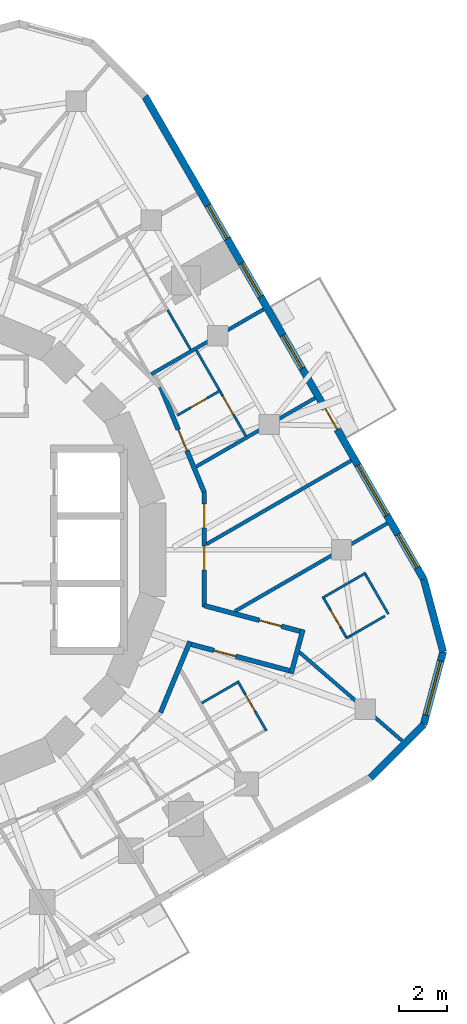
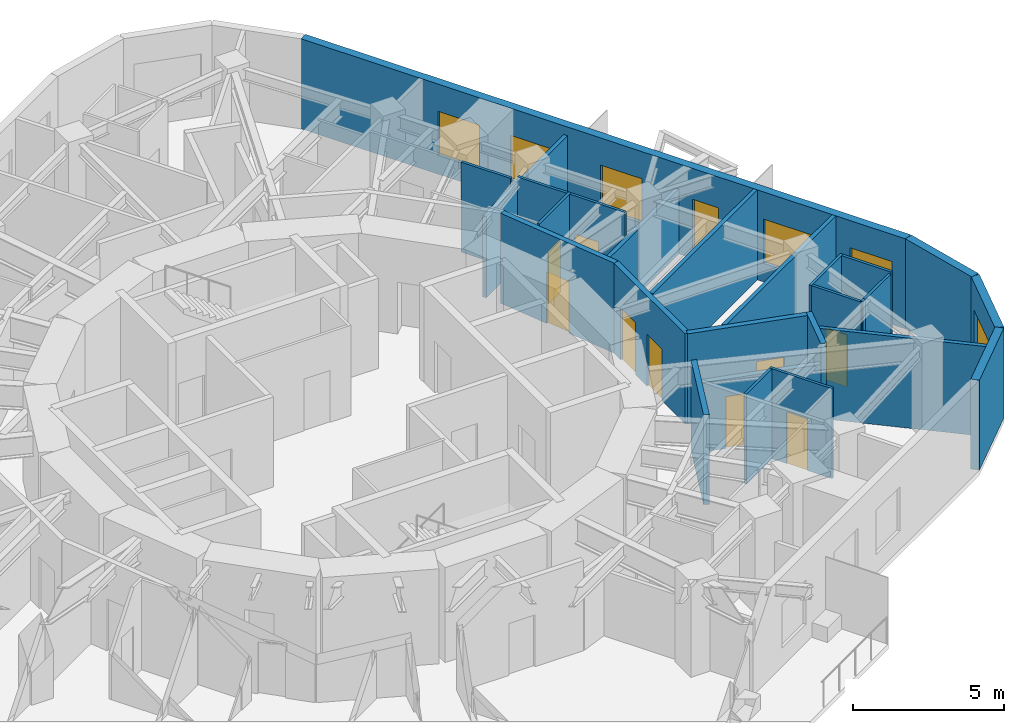
# One storey, part 8 of 12: 26 walls, 10 doors, 6 windows, 16 openings.
"""IFC4 building model written with IfcOpenShell, lengths in metres."""

from ifc_helpers import new_model, si_unit, direction, frame, frame_2d, origin, place, context, subcontext, project, spatial, rectangle, extrude, material, layer, layer_set, type_object, element, fill, save


model = new_model("IFC4")

# Units and contexts
model_context = context("Model", 3, precision=1e-05, world=origin(), true_north=direction((0.0, 1.0)))
body_context = subcontext(model_context, "Body", "Model", "MODEL_VIEW")
ifc_project = project(units=[si_unit("LENGTHUNIT", "METRE"), si_unit("AREAUNIT", "SQUARE_METRE"), si_unit("VOLUMEUNIT", "CUBIC_METRE"), si_unit("PLANEANGLEUNIT", "RADIAN"), si_unit("MASSUNIT", "GRAM", prefix="KILO")], contexts=[model_context])

# Site, building, storey
site_placement = place(None, origin())
site = spatial("IfcSite", under=ifc_project, at=site_placement, CompositionType="ELEMENT")
building_placement = place(site_placement, origin())
building = spatial("IfcBuilding", under=site, at=building_placement, Name="Nakasero Lantern House", CompositionType="ELEMENT")
storey_placement = place(building_placement, frame((0.0, 0.0, 226.949951171875)))
storey = spatial("IfcBuildingStorey", under=building, at=storey_placement, Name="L55", CompositionType="ELEMENT", Elevation=226.949951171875)

# Wall, openings, doors
ifc_material_1 = material(Name="Blockwork", Category="masonry")
ifc_layer_1 = layer(ifc_material_1, 0.199951171875)
ifc_layer_set_1 = layer_set([ifc_layer_1], Name="Corridor wall 200")
wall_type_1 = type_object("IfcWallType", Name="Corridor wall 200", PredefinedType="PARTITIONING", material=ifc_layer_set_1)
wall_1_placement = place(storey_placement, frame((11.957763671875, 2.378662109375, 0.0), z_axis=(0.0, 0.0, 1.0), x_axis=(0.0, -1.0, 0.0)))
wall_1 = element("IfcWall", 1, at=wall_1_placement, inside=storey, type_object=wall_type_1, Name="Corridor wall L55 RC00a", PredefinedType="PARTITIONING", context=body_context, shape_type="SweptSolid", body=[
    extrude(rectangle(XDim=4.75732421875, YDim=0.199951171875, at=frame_2d((2.378662109375, 0.0))), origin(), (0.0, 0.0, 1.0), 3.650146484375),
])
opening_1_placement = place(wall_1_placement, frame((2.219970703125, 0.0, 0.0)))
opening_1 = element("IfcOpeningElement", 2, at=opening_1_placement, cuts=wall_1, Name="Opening D03", PredefinedType="OPENING", context=body_context, shape_type="SweptSolid", body=[
    extrude(rectangle(XDim=1.0, YDim=2.10009765625, at=frame_2d((0.5, 1.050048828125))), frame((0.0, 0.119873046875, 0.0), z_axis=(0.0, -1.0, 0.0), x_axis=(1.0, 0.0, 0.0)), (0.0, 0.0, 1.0), 0.239990234375),
])
opening_2_placement = place(wall_1_placement, frame((0.469970703125, 0.0, 0.0)))
opening_2 = element("IfcOpeningElement", 3, at=opening_2_placement, cuts=wall_1, Name="Opening D03", PredefinedType="OPENING", context=body_context, shape_type="SweptSolid", body=[
    extrude(rectangle(XDim=1.0, YDim=2.10009765625, at=frame_2d((0.5, 1.050048828125))), frame((0.0, 0.119873046875, 0.0), z_axis=(0.0, -1.0, 0.0), x_axis=(1.0, 0.0, 0.0)), (0.0, 0.0, 1.0), 0.239990234375),
])
ifc_material_2 = material(Name="Timber C24", Category="wood")
door_type_1 = type_object("IfcDoorType", Name="Lounge door FD30S 1000", OperationType="SINGLE_SWING_LEFT", PredefinedType="DOOR", material=ifc_material_2)
door_1_placement = place(opening_1_placement, origin())
door_1 = element("IfcDoor", 4, at=door_1_placement, inside=storey, type_object=door_type_1, Name="Door L55 DK0", OperationType="SINGLE_SWING_RIGHT", OverallHeight=2.10009765625, OverallWidth=1.0, PredefinedType="DOOR", context=body_context, shape_type="SweptSolid", body=[
    extrude(rectangle(XDim=1.0, YDim=2.10009765625, at=frame_2d((0.5, 1.050048828125))), frame((0.0, 0.02490234375, 0.0), z_axis=(0.0, -1.0, 0.0), x_axis=(1.0, 0.0, 0.0)), (0.0, 0.0, 1.0), 0.050048828125),
])
fill(opening_1, door_1)
door_2_placement = place(opening_2_placement, origin())
door_2 = element("IfcDoor", 5, at=door_2_placement, inside=storey, type_object=door_type_1, Name="Door L55 DK0-1", OperationType="SINGLE_SWING_LEFT", OverallHeight=2.10009765625, OverallWidth=1.0, PredefinedType="DOOR", context=body_context, shape_type="SweptSolid", body=[
    extrude(rectangle(XDim=1.0, YDim=2.10009765625, at=frame_2d((0.5, 1.050048828125))), frame((0.0, 0.02490234375, 0.0), z_axis=(0.0, -1.0, 0.0), x_axis=(1.0, 0.0, 0.0)), (0.0, 0.0, 1.0), 0.050048828125),
])
fill(opening_2, door_2)

# Wall
wall_2_placement = place(storey_placement, frame((11.360595703125, -3.820556640625, 0.0), z_axis=(0.0, 0.0, 1.0), x_axis=(-0.382662097458, -0.923888369431, 0.0)))
element("IfcWall", 6, at=wall_2_placement, inside=storey, type_object=wall_type_1, Name="Corridor wall L55 RC01b", PredefinedType="PARTITIONING", context=body_context, shape_type="SweptSolid", body=[
    extrude(rectangle(XDim=3.1962890625, YDim=0.199951171875, at=frame_2d((1.59814453125, 0.0))), origin(), (0.0, 0.0, 1.0), 3.650146484375),
])

# Wall, opening, door
wall_3_placement = place(storey_placement, frame((10.137451171875, 6.773681640625, 0.0), z_axis=(0.0, 0.0, 1.0), x_axis=(0.382653970627, -0.923891735412, 0.0)))
wall_3 = element("IfcWall", 7, at=wall_3_placement, inside=storey, type_object=wall_type_1, Name="Corridor wall L55 RC15a", PredefinedType="PARTITIONING", context=body_context, shape_type="SweptSolid", body=[
    extrude(rectangle(XDim=4.757080078125, YDim=0.199951171875, at=frame_2d((2.37841796875, 0.0))), origin(), (0.0, 0.0, 1.0), 3.650146484375),
])
opening_3_placement = place(wall_3_placement, frame((1.919921875, 0.0, 0.0)))
opening_3 = element("IfcOpeningElement", 8, at=opening_3_placement, cuts=wall_3, Name="Opening D01", PredefinedType="OPENING", context=body_context, shape_type="SweptSolid", body=[
    extrude(rectangle(XDim=0.949951171875, YDim=2.10009765625, at=frame_2d((0.47509765625, 1.050048828125))), frame((0.0, 0.119873046875, 0.0), z_axis=(0.0, -1.0, 0.0), x_axis=(1.0, 0.0, 0.0)), (0.0, 0.0, 1.0), 0.239990234375),
])
ifc_material_3 = material(Name="Timber C24", Category="wood")
door_type_2 = type_object("IfcDoorType", Name="Bedroom door FD30S 950", OperationType="SINGLE_SWING_LEFT", PredefinedType="DOOR", material=ifc_material_3)
door_3_placement = place(opening_3_placement, origin())
door_3 = element("IfcDoor", 9, at=door_3_placement, inside=storey, type_object=door_type_2, Name="Door L55 D0-03", OperationType="SINGLE_SWING_RIGHT", OverallHeight=2.10009765625, OverallWidth=0.949951171875, PredefinedType="DOOR", context=body_context, shape_type="SweptSolid", body=[
    extrude(rectangle(XDim=0.949951171875, YDim=2.10009765625, at=frame_2d((0.47509765625, 1.050048828125))), frame((0.0, 0.02490234375, 0.0), z_axis=(0.0, -1.0, 0.0), x_axis=(1.0, 0.0, 0.0)), (0.0, 0.0, 1.0), 0.050048828125),
])
fill(opening_3, door_3)

wall_4_placement = place(storey_placement, frame((11.322021484375, -3.913818359375, 0.0), z_axis=(0.0, 0.0, 1.0), x_axis=(0.965936973474, -0.258777439659, 0.0)))
wall_4 = element("IfcWall", 10, at=wall_4_placement, inside=storey, type_object=wall_type_1, Name="Corridor wall L55 SP3a", PredefinedType="PARTITIONING", context=body_context, shape_type="SweptSolid", body=[
    extrude(rectangle(XDim=4.524658203125, YDim=0.199951171875, at=frame_2d((2.26220703125, 0.0))), origin(), (0.0, 0.0, 1.0), 2.809326171875),
])
opening_4_placement = place(wall_4_placement, frame((1.070068359375, 0.0, 0.0)))
opening_4 = element("IfcOpeningElement", 11, at=opening_4_placement, cuts=wall_4, Name="Opening D01", PredefinedType="OPENING", context=body_context, shape_type="SweptSolid", body=[
    extrude(rectangle(XDim=0.949951171875, YDim=2.10009765625, at=frame_2d((0.47509765625, 1.050048828125))), frame((0.0, 0.119873046875, 0.0), z_axis=(0.0, -1.0, 0.0), x_axis=(1.0, 0.0, 0.0)), (0.0, 0.0, 1.0), 0.239990234375),
])
door_4_placement = place(opening_4_placement, origin())
door_4 = element("IfcDoor", 12, at=door_4_placement, inside=storey, type_object=door_type_2, Name="Door L55 D3-06", OperationType="SINGLE_SWING_LEFT", OverallHeight=2.10009765625, OverallWidth=0.949951171875, PredefinedType="DOOR", context=body_context, shape_type="SweptSolid", body=[
    extrude(rectangle(XDim=0.949951171875, YDim=2.10009765625, at=frame_2d((0.47509765625, 1.050048828125))), frame((0.0, 0.02490234375, 0.0), z_axis=(0.0, -1.0, 0.0), x_axis=(1.0, 0.0, 0.0)), (0.0, 0.0, 1.0), 0.050048828125),
])
fill(opening_4, door_4)

wall_5_placement = place(storey_placement, frame((11.957763671875, -2.32421875, 0.0), z_axis=(0.0, 0.0, 1.0), x_axis=(0.965938975236, -0.258769967576, 0.0)))
wall_5 = element("IfcWall", 13, at=wall_5_placement, inside=storey, type_object=wall_type_1, Name="Corridor wall L55 SP3b", PredefinedType="PARTITIONING", context=body_context, shape_type="SweptSolid", body=[
    extrude(rectangle(XDim=4.322021484375, YDim=0.199951171875, at=frame_2d((2.1611328125, 0.0))), origin(), (0.0, 0.0, 1.0), 3.650146484375),
])
opening_5_placement = place(wall_5_placement, frame((2.3701171875, 0.0, 0.0)))
opening_5 = element("IfcOpeningElement", 14, at=opening_5_placement, cuts=wall_5, Name="Opening D01", PredefinedType="OPENING", context=body_context, shape_type="SweptSolid", body=[
    extrude(rectangle(XDim=0.949951171875, YDim=2.10009765625, at=frame_2d((0.47509765625, 1.050048828125))), frame((0.0, 0.119873046875, 0.0), z_axis=(0.0, -1.0, 0.0), x_axis=(1.0, 0.0, 0.0)), (0.0, 0.0, 1.0), 0.239990234375),
])
door_5_placement = place(opening_5_placement, origin())
door_5 = element("IfcDoor", 15, at=door_5_placement, inside=storey, type_object=door_type_2, Name="Door L55 D0-00", OperationType="SINGLE_SWING_RIGHT", OverallHeight=2.10009765625, OverallWidth=0.949951171875, PredefinedType="DOOR", context=body_context, shape_type="SweptSolid", body=[
    extrude(rectangle(XDim=0.949951171875, YDim=2.10009765625, at=frame_2d((0.47509765625, 1.050048828125))), frame((0.0, 0.02490234375, 0.0), z_axis=(0.0, -1.0, 0.0), x_axis=(1.0, 0.0, 0.0)), (0.0, 0.0, 1.0), 0.050048828125),
])
fill(opening_5, door_5)

# Walls
wall_6_placement = place(storey_placement, frame((15.570068359375, -5.155517578125, 0.0), z_axis=(0.0, 0.0, 1.0), x_axis=(0.258798174346, 0.96593141835, 0.0)))
element("IfcWall", 16, at=wall_6_placement, inside=storey, type_object=wall_type_1, Name="Corridor wall L55 SP3e", PredefinedType="PARTITIONING", context=body_context, shape_type="SweptSolid", body=[
    extrude(rectangle(XDim=1.89990234375, YDim=0.199951171875, at=frame_2d((0.949951171875, 0.0))), origin(), (0.0, 0.0, 1.0), 3.650146484375),
])
ifc_material_4 = material(Name="Blockwork", Category="masonry")
ifc_layer_2 = layer(ifc_material_4, 0.10009765625)
ifc_layer_set_2 = layer_set([ifc_layer_2], Name="En-suite wall 100")
wall_type_2 = type_object("IfcWallType", Name="En-suite wall 100", PredefinedType="PARTITIONING", material=ifc_layer_set_2)
wall_7_placement = place(storey_placement, frame((16.865478515625, -2.01171875, 0.0), z_axis=(0.0, 0.0, 1.0), x_axis=(0.866059744384, 0.49994051562, 0.0)))
element("IfcWall", 17, at=wall_7_placement, inside=storey, type_object=wall_type_2, Name="En-suite wall L55 ES0-00", PredefinedType="PARTITIONING", context=body_context, shape_type="SweptSolid", body=[
    extrude(rectangle(XDim=2.099853515625, YDim=0.10009765625, at=frame_2d((1.0498046875, 0.0))), origin(), (0.0, 0.0, 1.0), 3.650146484375),
])
wall_8_placement = place(storey_placement, frame((19.61572265625, -2.675537109375, 0.0), z_axis=(0.0, 0.0, 1.0), x_axis=(-0.499967155389, 0.866044365799, 0.0)))
element("IfcWall", 18, at=wall_8_placement, inside=storey, type_object=wall_type_2, Name="En-suite wall L55 EE0-00", PredefinedType="PARTITIONING", context=body_context, shape_type="SweptSolid", body=[
    extrude(rectangle(XDim=1.900146484375, YDim=0.10009765625, at=frame_2d((0.9501953125, 0.0))), origin(), (0.0, 0.0, 1.0), 3.650146484375),
])

# Wall, opening, door
wall_9_placement = place(storey_placement, frame((17.8837890625, -3.675537109375, 0.0), z_axis=(0.0, 0.0, 1.0), x_axis=(-0.499967155389, 0.866044365799, 0.0)))
wall_9 = element("IfcWall", 19, at=wall_9_placement, inside=storey, type_object=wall_type_2, Name="En-suite wall L55 EI0-00", PredefinedType="PARTITIONING", context=body_context, shape_type="SweptSolid", body=[
    extrude(rectangle(XDim=1.900146484375, YDim=0.10009765625, at=frame_2d((0.9501953125, 0.0))), origin(), (0.0, 0.0, 1.0), 3.650146484375),
])
opening_6_placement = place(wall_9_placement, frame((0.550048828125, 0.0, 0.0)))
opening_6 = element("IfcOpeningElement", 20, at=opening_6_placement, cuts=wall_9, Name="Opening D02", PredefinedType="OPENING", context=body_context, shape_type="SweptSolid", body=[
    extrude(rectangle(XDim=0.800048828125, YDim=2.10009765625, at=frame_2d((0.39990234375, 1.050048828125))), frame((0.0, 0.070068359375, 0.0), z_axis=(0.0, -1.0, 0.0), x_axis=(1.0, 0.0, 0.0)), (0.0, 0.0, 1.0), 0.14013671875),
])
ifc_material_5 = material(Name="Timber C24", Category="wood")
door_type_3 = type_object("IfcDoorType", Name="En-suite door 800", OperationType="SINGLE_SWING_RIGHT", PredefinedType="DOOR", material=ifc_material_5)
door_6_placement = place(opening_6_placement, origin())
door_6 = element("IfcDoor", 21, at=door_6_placement, inside=storey, type_object=door_type_3, Name="Door L55 DE0-00", OperationType="SINGLE_SWING_RIGHT", OverallHeight=2.10009765625, OverallWidth=0.800048828125, PredefinedType="DOOR", context=body_context, shape_type="SweptSolid", body=[
    extrude(rectangle(XDim=0.800048828125, YDim=2.10009765625, at=frame_2d((0.39990234375, 1.050048828125))), frame((0.0, 0.02490234375, 0.0), z_axis=(0.0, -1.0, 0.0), x_axis=(1.0, 0.0, 0.0)), (0.0, 0.0, 1.0), 0.050048828125),
])
fill(opening_6, door_6)

wall_10_placement = place(storey_placement, frame((10.82470703125, 5.586669921875, 0.0), z_axis=(0.0, 0.0, 1.0), x_axis=(0.866009402589, 0.500027713859, 0.0)))
wall_10 = element("IfcWall", 22, at=wall_10_placement, inside=storey, type_object=wall_type_2, Name="En-suite wall L55 ES0-03", PredefinedType="PARTITIONING", context=body_context, shape_type="SweptSolid", body=[
    extrude(rectangle(XDim=2.10009765625, YDim=0.10009765625, at=frame_2d((1.050048828125, 0.0))), origin(), (0.0, 0.0, 1.0), 3.650146484375),
])
opening_7_placement = place(wall_10_placement, frame((0.64990234375, 0.0, 0.0)))
opening_7 = element("IfcOpeningElement", 23, at=opening_7_placement, cuts=wall_10, Name="Opening D02", PredefinedType="OPENING", context=body_context, shape_type="SweptSolid", body=[
    extrude(rectangle(XDim=0.800048828125, YDim=2.10009765625, at=frame_2d((0.39990234375, 1.050048828125))), frame((0.0, 0.070068359375, 0.0), z_axis=(0.0, -1.0, 0.0), x_axis=(1.0, 0.0, 0.0)), (0.0, 0.0, 1.0), 0.14013671875),
])
door_7_placement = place(opening_7_placement, origin())
door_7 = element("IfcDoor", 24, at=door_7_placement, inside=storey, type_object=door_type_3, Name="Door L55 DE0-03", OperationType="SINGLE_SWING_RIGHT", OverallHeight=2.10009765625, OverallWidth=0.800048828125, PredefinedType="DOOR", context=body_context, shape_type="SweptSolid", body=[
    extrude(rectangle(XDim=0.800048828125, YDim=2.10009765625, at=frame_2d((0.39990234375, 1.050048828125))), frame((0.0, 0.02490234375, 0.0), z_axis=(0.0, -1.0, 0.0), x_axis=(1.0, 0.0, 0.0)), (0.0, 0.0, 1.0), 0.050048828125),
])
fill(opening_7, door_7)

# Walls
wall_11_placement = place(storey_placement, frame((12.574951171875, 6.655029296875, 0.0), z_axis=(0.0, 0.0, 1.0), x_axis=(-0.499967155389, 0.866044365799, 0.0)))
element("IfcWall", 25, at=wall_11_placement, inside=storey, type_object=wall_type_2, Name="En-suite wall L55 EE0-03", PredefinedType="PARTITIONING", context=body_context, shape_type="SweptSolid", body=[
    extrude(rectangle(XDim=1.900146484375, YDim=0.10009765625, at=frame_2d((0.9501953125, 0.0))), origin(), (0.0, 0.0, 1.0), 3.650146484375),
])
wall_12_placement = place(storey_placement, frame((11.382568359375, 8.333740234375, 0.0), z_axis=(0.0, 0.0, 1.0), x_axis=(-0.500022797313, 0.86601224135, 0.0)))
element("IfcWall", 26, at=wall_12_placement, inside=storey, type_object=wall_type_2, Name="En-suite wall L55 EE0-04", PredefinedType="PARTITIONING", context=body_context, shape_type="SweptSolid", body=[
    extrude(rectangle(XDim=1.89990234375, YDim=0.10009765625, at=frame_2d((0.949951171875, 0.0))), origin(), (0.0, 0.0, 1.0), 3.650146484375),
])

# Wall, opening, door
wall_13_placement = place(storey_placement, frame((13.342041015625, -5.46044921875, 0.0), z_axis=(0.0, 0.0, 1.0), x_axis=(0.500033551112, -0.866006032174, 0.0)))
wall_13 = element("IfcWall", 27, at=wall_13_placement, inside=storey, type_object=wall_type_2, Name="En-suite wall L55 ES3-06", PredefinedType="PARTITIONING", context=body_context, shape_type="SweptSolid", body=[
    extrude(rectangle(XDim=2.400146484375, YDim=0.10009765625, at=frame_2d((1.2001953125, 0.0))), origin(), (0.0, 0.0, 1.0), 3.650146484375),
])
opening_8_placement = place(wall_13_placement, frame((0.64990234375, 0.0, 0.0)))
opening_8 = element("IfcOpeningElement", 28, at=opening_8_placement, cuts=wall_13, Name="Opening D02", PredefinedType="OPENING", context=body_context, shape_type="SweptSolid", body=[
    extrude(rectangle(XDim=0.800048828125, YDim=2.10009765625, at=frame_2d((0.39990234375, 1.050048828125))), frame((0.0, 0.070068359375, 0.0), z_axis=(0.0, -1.0, 0.0), x_axis=(1.0, 0.0, 0.0)), (0.0, 0.0, 1.0), 0.14013671875),
])
door_8_placement = place(opening_8_placement, origin())
door_8 = element("IfcDoor", 29, at=door_8_placement, inside=storey, type_object=door_type_3, Name="Door L55 DE3-06", OperationType="SINGLE_SWING_LEFT", OverallHeight=2.10009765625, OverallWidth=0.800048828125, PredefinedType="DOOR", context=body_context, shape_type="SweptSolid", body=[
    extrude(rectangle(XDim=0.800048828125, YDim=2.10009765625, at=frame_2d((0.39990234375, 1.050048828125))), frame((0.0, 0.02490234375, 0.0), z_axis=(0.0, -1.0, 0.0), x_axis=(1.0, 0.0, 0.0)), (0.0, 0.0, 1.0), 0.050048828125),
])
fill(opening_8, door_8)

# Wall
wall_14_placement = place(storey_placement, frame((11.8515625, -6.37890625, 0.0), z_axis=(0.0, 0.0, 1.0), x_axis=(0.865989465428, 0.500062241894, 0.0)))
element("IfcWall", 30, at=wall_14_placement, inside=storey, type_object=wall_type_2, Name="En-suite wall L55 EI3-06", PredefinedType="PARTITIONING", context=body_context, shape_type="SweptSolid", body=[
    extrude(rectangle(XDim=1.699951171875, YDim=0.10009765625, at=frame_2d((0.85009765625, 0.0))), origin(), (0.0, 0.0, 1.0), 3.650146484375),
])

# Wall, opening, door
wall_15_placement = place(storey_placement, frame((13.68310546875, 4.735595703125, 0.0), z_axis=(0.0, 0.0, 1.0), x_axis=(-0.499985423392, 0.866033819429, 0.0)))
wall_15 = element("IfcWall", 31, at=wall_15_placement, inside=storey, type_object=wall_type_2, Name="En-suite wall L55 EL0-03", PredefinedType="PARTITIONING", context=body_context, shape_type="SweptSolid", body=[
    extrude(rectangle(XDim=2.1162109375, YDim=0.10009765625, at=frame_2d((1.05810546875, 0.0))), origin(), (0.0, 0.0, 1.0), 3.650146484375),
])
opening_9_placement = place(wall_15_placement, frame((1.016357421875, 0.0, 0.0)))
opening_9 = element("IfcOpeningElement", 32, at=opening_9_placement, cuts=wall_15, Name="Opening D17", PredefinedType="OPENING", context=body_context, shape_type="SweptSolid", body=[
    extrude(rectangle(XDim=0.89990234375, YDim=2.10009765625, at=frame_2d((0.449951171875, 1.050048828125))), frame((0.0, 0.070068359375, 0.0), z_axis=(0.0, -1.0, 0.0), x_axis=(1.0, 0.0, 0.0)), (0.0, 0.0, 1.0), 0.14013671875),
])
ifc_material_6 = material(Name="Timber C24", Category="wood")
door_type_4 = type_object("IfcDoorType", Name="Bedroom door FD30S 900", OperationType="SINGLE_SWING_LEFT", PredefinedType="DOOR", material=ifc_material_6)
door_9_placement = place(opening_9_placement, origin())
door_9 = element("IfcDoor", 33, at=door_9_placement, inside=storey, type_object=door_type_4, Name="Door L55 DL0-03", OperationType="SINGLE_SWING_RIGHT", OverallHeight=2.10009765625, OverallWidth=0.89990234375, PredefinedType="DOOR", context=body_context, shape_type="SweptSolid", body=[
    extrude(rectangle(XDim=0.89990234375, YDim=2.10009765625, at=frame_2d((0.449951171875, 1.050048828125))), frame((0.0, 0.02490234375, 0.0), z_axis=(0.0, -1.0, 0.0), x_axis=(1.0, 0.0, 0.0)), (0.0, 0.0, 1.0), 0.050048828125),
])
fill(opening_9, door_9)

# Walls
wall_16_placement = place(storey_placement, frame((18.022216796875, -3.595458984375, 0.0), z_axis=(0.0, 0.0, 1.0), x_axis=(0.866088799389, 0.499890179513, 0.0)))
element("IfcWall", 34, at=wall_16_placement, inside=storey, type_object=wall_type_2, Name="En-suite wall L55 EX000", PredefinedType="PARTITIONING", context=body_context, shape_type="SweptSolid", body=[
    extrude(rectangle(XDim=1.68017578125, YDim=0.10009765625, at=frame_2d((0.840087890625, 0.0))), origin(), (0.0, 0.0, 1.0), 3.650146484375),
])
wall_17_placement = place(storey_placement, frame((17.8837890625, -3.675537109375, 0.0), z_axis=(0.0, 0.0, 1.0), x_axis=(0.865600433939, 0.500735348028, 0.0)))
element("IfcWall", 35, at=wall_17_placement, inside=storey, type_object=wall_type_2, Name="En-suite wall L55 EI0-00R0", PredefinedType="PARTITIONING", context=body_context, shape_type="SweptSolid", body=[
    extrude(rectangle(XDim=0.159912109375, YDim=0.10009765625, at=frame_2d((0.080078125, 0.0))), origin(), (0.0, 0.0, 1.0), 3.650146484375),
])

# Wall, openings, door, windows
ifc_material_7 = material(Name="Aluminium rainscreen on blockwork", Category="masonry")
ifc_layer_3 = layer(ifc_material_7, 0.300048828125)
ifc_layer_set_3 = layer_set([ifc_layer_3], Name="Facade wall 300")
wall_type_3 = type_object("IfcWallType", Name="Facade wall 300", PredefinedType="SOLIDWALL", material=ifc_layer_set_3)
wall_18_placement = place(storey_placement, frame((21.08544921875, -1.220947265625, 0.0), z_axis=(0.0, 0.0, 1.0), x_axis=(-0.500003016864, 0.86602366199, 0.0)))
wall_18 = element("IfcWall", 36, at=wall_18_placement, inside=storey, type_object=wall_type_3, Name="Facade wall L55 FW0S", PredefinedType="SOLIDWALL", context=body_context, shape_type="SweptSolid", body=[
    extrude(rectangle(XDim=23.199951171875, YDim=0.300048828125, at=frame_2d((11.60009765625, 0.0))), origin(), (0.0, 0.0, 1.0), 3.650146484375),
])
opening_10_placement = place(wall_18_placement, frame((0.5458984375, 0.0, 0.75)))
opening_10 = element("IfcOpeningElement", 37, at=opening_10_placement, cuts=wall_18, Name="Opening W01", PredefinedType="OPENING", context=body_context, shape_type="SweptSolid", body=[
    extrude(rectangle(XDim=1.60009765625, YDim=1.800048828125, at=frame_2d((0.800048828125, 0.89990234375))), frame((0.0, 0.169921875, 0.0), z_axis=(0.0, -1.0, 0.0), x_axis=(1.0, 0.0, 0.0)), (0.0, 0.0, 1.0), 0.340087890625),
])
opening_11_placement = place(wall_18_placement, frame((10.11767578125, 0.0, 0.75)))
opening_11 = element("IfcOpeningElement", 38, at=opening_11_placement, cuts=wall_18, Name="Opening W01", PredefinedType="OPENING", context=body_context, shape_type="SweptSolid", body=[
    extrude(rectangle(XDim=1.60009765625, YDim=1.800048828125, at=frame_2d((0.800048828125, 0.89990234375))), frame((0.0, 0.169921875, 0.0), z_axis=(0.0, -1.0, 0.0), x_axis=(1.0, 0.0, 0.0)), (0.0, 0.0, 1.0), 0.340087890625),
])
opening_12_placement = place(wall_18_placement, frame((13.5751953125, 0.0, 0.75)))
opening_12 = element("IfcOpeningElement", 39, at=opening_12_placement, cuts=wall_18, Name="Opening W01", PredefinedType="OPENING", context=body_context, shape_type="SweptSolid", body=[
    extrude(rectangle(XDim=1.60009765625, YDim=1.800048828125, at=frame_2d((0.800048828125, 0.89990234375))), frame((0.0, 0.169921875, 0.0), z_axis=(0.0, -1.0, 0.0), x_axis=(1.0, 0.0, 0.0)), (0.0, 0.0, 1.0), 0.340087890625),
])
opening_13_placement = place(wall_18_placement, frame((16.349609375, 0.0, 0.75)))
opening_13 = element("IfcOpeningElement", 40, at=opening_13_placement, cuts=wall_18, Name="Opening W01", PredefinedType="OPENING", context=body_context, shape_type="SweptSolid", body=[
    extrude(rectangle(XDim=1.60009765625, YDim=1.800048828125, at=frame_2d((0.800048828125, 0.89990234375))), frame((0.0, 0.169921875, 0.0), z_axis=(0.0, -1.0, 0.0), x_axis=(1.0, 0.0, 0.0)), (0.0, 0.0, 1.0), 0.340087890625),
])
opening_14_placement = place(wall_18_placement, frame((3.071044921875, 0.0, 0.75)))
opening_14 = element("IfcOpeningElement", 41, at=opening_14_placement, cuts=wall_18, Name="Opening W03", PredefinedType="OPENING", context=body_context, shape_type="SweptSolid", body=[
    extrude(rectangle(XDim=2.39990234375, YDim=1.800048828125, at=frame_2d((1.199951171875, 0.89990234375))), frame((0.0, 0.169921875, 0.0), z_axis=(0.0, -1.0, 0.0), x_axis=(1.0, 0.0, 0.0)), (0.0, 0.0, 1.0), 0.340087890625),
])
opening_15_placement = place(wall_18_placement, frame((7.1904296875, 0.0, 0.0)))
opening_15 = element("IfcOpeningElement", 42, at=opening_15_placement, cuts=wall_18, Name="Opening D04", PredefinedType="OPENING", context=body_context, shape_type="SweptSolid", body=[
    extrude(rectangle(XDim=1.0, YDim=2.39990234375, at=frame_2d((0.5, 1.199951171875))), frame((0.0, 0.169921875, 0.0), z_axis=(0.0, -1.0, 0.0), x_axis=(1.0, 0.0, 0.0)), (0.0, 0.0, 1.0), 0.340087890625),
])
ifc_material_8 = material(Name="Aluminium 6063-T6 and glass", Category="aluminium")
door_type_5 = type_object("IfcDoorType", Name="Balcony door 1000x2400", OperationType="SINGLE_SWING_RIGHT", PredefinedType="DOOR", material=ifc_material_8)
door_10_placement = place(opening_15_placement, origin())
door_10 = element("IfcDoor", 43, at=door_10_placement, inside=storey, type_object=door_type_5, Name="Balcony door L55 DB0", OperationType="SINGLE_SWING_RIGHT", OverallHeight=2.39990234375, OverallWidth=1.0, PredefinedType="DOOR", context=body_context, shape_type="SweptSolid", body=[
    extrude(rectangle(XDim=1.0, YDim=2.39990234375, at=frame_2d((0.5, 1.199951171875))), frame((0.0, 0.02490234375, 0.0), z_axis=(0.0, -1.0, 0.0), x_axis=(1.0, 0.0, 0.0)), (0.0, 0.0, 1.0), 0.050048828125),
])
fill(opening_15, door_10)
ifc_material_9 = material(Name="Aluminium 6063-T6 and glass", Category="aluminium")
window_type_1 = type_object("IfcWindowType", Name="Bedroom window 1600x1800", PartitioningType="SINGLE_PANEL", PredefinedType="WINDOW", material=ifc_material_9)
window_1_placement = place(opening_10_placement, origin())
window_1 = element("IfcWindow", 44, at=window_1_placement, inside=storey, type_object=window_type_1, Name="Window L55 WN0-00", OverallHeight=1.800048828125, OverallWidth=1.60009765625, PartitioningType="SINGLE_PANEL", PredefinedType="WINDOW", context=body_context, shape_type="SweptSolid", body=[
    extrude(rectangle(XDim=1.60009765625, YDim=1.800048828125, at=frame_2d((0.800048828125, 0.89990234375))), frame((0.0, 0.030029296875, 0.0), z_axis=(0.0, -1.0, 0.0), x_axis=(1.0, 0.0, 0.0)), (0.0, 0.0, 1.0), 0.06005859375),
])
fill(opening_10, window_1)
window_2_placement = place(opening_11_placement, origin())
window_2 = element("IfcWindow", 45, at=window_2_placement, inside=storey, type_object=window_type_1, Name="Window L55 WN0-03", OverallHeight=1.800048828125, OverallWidth=1.60009765625, PartitioningType="SINGLE_PANEL", PredefinedType="WINDOW", context=body_context, shape_type="SweptSolid", body=[
    extrude(rectangle(XDim=1.60009765625, YDim=1.800048828125, at=frame_2d((0.800048828125, 0.89990234375))), frame((0.0, 0.030029296875, 0.0), z_axis=(0.0, -1.0, 0.0), x_axis=(1.0, 0.0, 0.0)), (0.0, 0.0, 1.0), 0.06005859375),
])
fill(opening_11, window_2)
window_3_placement = place(opening_12_placement, origin())
window_3 = element("IfcWindow", 46, at=window_3_placement, inside=storey, type_object=window_type_1, Name="Window L55 WN0-04", OverallHeight=1.800048828125, OverallWidth=1.60009765625, PartitioningType="SINGLE_PANEL", PredefinedType="WINDOW", context=body_context, shape_type="SweptSolid", body=[
    extrude(rectangle(XDim=1.60009765625, YDim=1.800048828125, at=frame_2d((0.800048828125, 0.89990234375))), frame((0.0, 0.030029296875, 0.0), z_axis=(0.0, -1.0, 0.0), x_axis=(1.0, 0.0, 0.0)), (0.0, 0.0, 1.0), 0.06005859375),
])
fill(opening_12, window_3)
window_4_placement = place(opening_13_placement, origin())
window_4 = element("IfcWindow", 47, at=window_4_placement, inside=storey, type_object=window_type_1, Name="Window L55 WN0-05", OverallHeight=1.800048828125, OverallWidth=1.60009765625, PartitioningType="SINGLE_PANEL", PredefinedType="WINDOW", context=body_context, shape_type="SweptSolid", body=[
    extrude(rectangle(XDim=1.60009765625, YDim=1.800048828125, at=frame_2d((0.800048828125, 0.89990234375))), frame((0.0, 0.030029296875, 0.0), z_axis=(0.0, -1.0, 0.0), x_axis=(1.0, 0.0, 0.0)), (0.0, 0.0, 1.0), 0.06005859375),
])
fill(opening_13, window_4)
ifc_material_10 = material(Name="Aluminium 6063-T6 and glass", Category="aluminium")
window_type_2 = type_object("IfcWindowType", Name="Lounge window 2400x1800", PartitioningType="SINGLE_PANEL", PredefinedType="WINDOW", material=ifc_material_10)
window_5_placement = place(opening_14_placement, origin())
window_5 = element("IfcWindow", 48, at=window_5_placement, inside=storey, type_object=window_type_2, Name="Window L55 WK0", OverallHeight=1.800048828125, OverallWidth=2.39990234375, PartitioningType="SINGLE_PANEL", PredefinedType="WINDOW", context=body_context, shape_type="SweptSolid", body=[
    extrude(rectangle(XDim=2.39990234375, YDim=1.800048828125, at=frame_2d((1.199951171875, 0.89990234375))), frame((0.0, 0.030029296875, 0.0), z_axis=(0.0, -1.0, 0.0), x_axis=(1.0, 0.0, 0.0)), (0.0, 0.0, 1.0), 0.06005859375),
])
fill(opening_14, window_5)

# Wall
wall_19_placement = place(storey_placement, frame((18.870849609375, -9.4853515625, 0.0), z_axis=(0.0, 0.0, 1.0), x_axis=(0.707145758492, 0.707067801733, 0.0)))
element("IfcWall", 49, at=wall_19_placement, inside=storey, type_object=wall_type_3, Name="Facade wall L55 FW3C1", PredefinedType="SOLIDWALL", context=body_context, shape_type="SweptSolid", body=[
    extrude(rectangle(XDim=3.1318359375, YDim=0.300048828125, at=frame_2d((1.56591796875, 0.0))), origin(), (0.0, 0.0, 1.0), 3.650146484375),
])

# Wall, opening, window
wall_20_placement = place(storey_placement, frame((21.08544921875, -7.27099609375, 0.0), z_axis=(0.0, 0.0, 1.0), x_axis=(0.258807521156, 0.965928914048, 0.0)))
wall_20 = element("IfcWall", 50, at=wall_20_placement, inside=storey, type_object=wall_type_3, Name="Facade wall L55 FW3C2", PredefinedType="SOLIDWALL", context=body_context, shape_type="SweptSolid", body=[
    extrude(rectangle(XDim=3.1318359375, YDim=0.300048828125, at=frame_2d((1.56591796875, 0.0))), origin(), (0.0, 0.0, 1.0), 3.650146484375),
])
opening_16_placement = place(wall_20_placement, frame((0.39990234375, 0.0, 0.75)))
opening_16 = element("IfcOpeningElement", 51, at=opening_16_placement, cuts=wall_20, Name="Opening W223", PredefinedType="OPENING", context=body_context, shape_type="SweptSolid", body=[
    extrude(rectangle(XDim=2.33203125, YDim=1.800048828125, at=frame_2d((1.166015625, 0.89990234375))), frame((0.0, 0.169921875, 0.0), z_axis=(0.0, -1.0, 0.0), x_axis=(1.0, 0.0, 0.0)), (0.0, 0.0, 1.0), 0.340087890625),
])
ifc_material_11 = material(Name="Aluminium 6063-T6 and glass", Category="aluminium")
window_type_3 = type_object("IfcWindowType", Name="Corner window 2332x1800", PartitioningType="SINGLE_PANEL", PredefinedType="WINDOW", material=ifc_material_11)
window_6_placement = place(opening_16_placement, origin())
window_6 = element("IfcWindow", 52, at=window_6_placement, inside=storey, type_object=window_type_3, Name="Window L55 WC3", OverallHeight=1.800048828125, OverallWidth=2.33203125, PartitioningType="SINGLE_PANEL", PredefinedType="WINDOW", context=body_context, shape_type="SweptSolid", body=[
    extrude(rectangle(XDim=2.33203125, YDim=1.800048828125, at=frame_2d((1.166015625, 0.89990234375))), frame((0.0, 0.030029296875, 0.0), z_axis=(0.0, -1.0, 0.0), x_axis=(1.0, 0.0, 0.0)), (0.0, 0.0, 1.0), 0.06005859375),
])
fill(opening_16, window_6)

# Walls
wall_21_placement = place(storey_placement, frame((21.89599609375, -4.245849609375, 0.0), z_axis=(0.0, 0.0, 1.0), x_axis=(-0.258827010283, 0.96592369199, 0.0)))
element("IfcWall", 53, at=wall_21_placement, inside=storey, type_object=wall_type_3, Name="Facade wall L55 FW3C3", PredefinedType="SOLIDWALL", context=body_context, shape_type="SweptSolid", body=[
    extrude(rectangle(XDim=3.131591796875, YDim=0.300048828125, at=frame_2d((1.56591796875, 0.0))), origin(), (0.0, 0.0, 1.0), 3.650146484375),
])
ifc_material_12 = material(Name="Blockwork", Category="masonry")
ifc_layer_4 = layer(ifc_material_12, 0.14990234375)
ifc_layer_set_4 = layer_set([ifc_layer_4], Name="Party wall 150")
wall_type_4 = type_object("IfcWallType", Name="Party wall 150", PredefinedType="PARTITIONING", material=ifc_layer_set_4)
wall_22_placement = place(storey_placement, frame((13.230224609375, -2.5615234375, 0.0), z_axis=(0.0, 0.0, 1.0), x_axis=(0.866022919989, 0.500004302036, 0.0)))
element("IfcWall", 54, at=wall_22_placement, inside=storey, type_object=wall_type_4, Name="Party wall L55 PW0-01", PredefinedType="PARTITIONING", context=body_context, shape_type="SweptSolid", body=[
    extrude(rectangle(XDim=7.3232421875, YDim=0.14990234375, at=frame_2d((3.66162109375, 0.0))), origin(), (0.0, 0.0, 1.0), 3.650146484375),
])
wall_23_placement = place(storey_placement, frame((12.057861328125, 0.236083984375, 0.0), z_axis=(0.0, 0.0, 1.0), x_axis=(0.866026229868, 0.499998569178, 0.0)))
element("IfcWall", 55, at=wall_23_placement, inside=storey, type_object=wall_type_4, Name="Party wall L55 PW0-02", PredefinedType="PARTITIONING", context=body_context, shape_type="SweptSolid", body=[
    extrude(rectangle(XDim=6.939453125, YDim=0.14990234375, at=frame_2d((3.4697265625, 0.0))), origin(), (0.0, 0.0, 1.0), 3.650146484375),
])
wall_24_placement = place(storey_placement, frame((11.619140625, 3.457275390625, 0.0), z_axis=(0.0, 0.0, 1.0), x_axis=(0.866023927955, 0.500002556202, 0.0)))
element("IfcWall", 56, at=wall_24_placement, inside=storey, type_object=wall_type_4, Name="Party wall L55 PW0-03", PredefinedType="PARTITIONING", context=body_context, shape_type="SweptSolid", body=[
    extrude(rectangle(XDim=5.708984375, YDim=0.14990234375, at=frame_2d((2.8544921875, 0.0))), origin(), (0.0, 0.0, 1.0), 2.634033203125),
])
wall_25_placement = place(storey_placement, frame((9.748779296875, 7.3037109375, 0.0), z_axis=(0.0, 0.0, 1.0), x_axis=(0.86600807666, 0.500030010259, 0.0)))
element("IfcWall", 57, at=wall_25_placement, inside=storey, type_object=wall_type_4, Name="Party wall L55 PW0-04", PredefinedType="PARTITIONING", context=body_context, shape_type="SweptSolid", body=[
    extrude(rectangle(XDim=5.405517578125, YDim=0.14990234375, at=frame_2d((2.70263671875, 0.0))), origin(), (0.0, 0.0, 1.0), 3.295166015625),
])
wall_26_placement = place(storey_placement, frame((15.91259765625, -4.263671875, 0.0), z_axis=(0.0, 0.0, 1.0), x_axis=(0.75716427978, -0.653224504612, 0.0)))
element("IfcWall", 58, at=wall_26_placement, inside=storey, type_object=wall_type_4, Name="Party wall L55 PW0-00", PredefinedType="PARTITIONING", context=body_context, shape_type="SweptSolid", body=[
    extrude(rectangle(XDim=5.644287109375, YDim=0.14990234375, at=frame_2d((2.822265625, 0.0))), origin(), (0.0, 0.0, 1.0), 3.650146484375),
])

save(model, "model.ifc")
